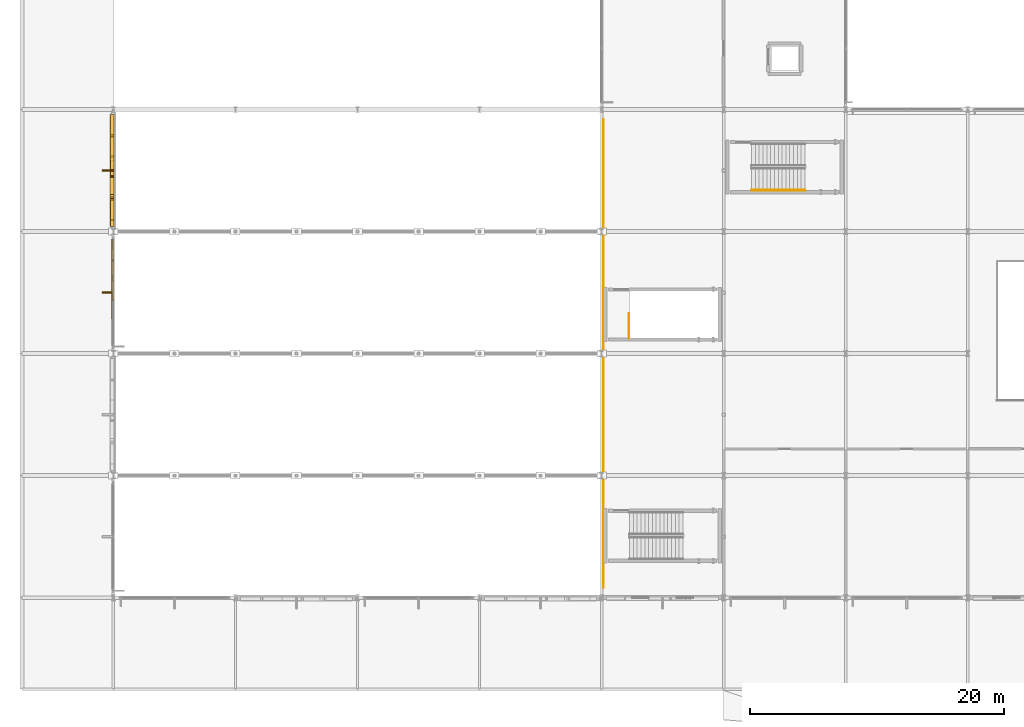
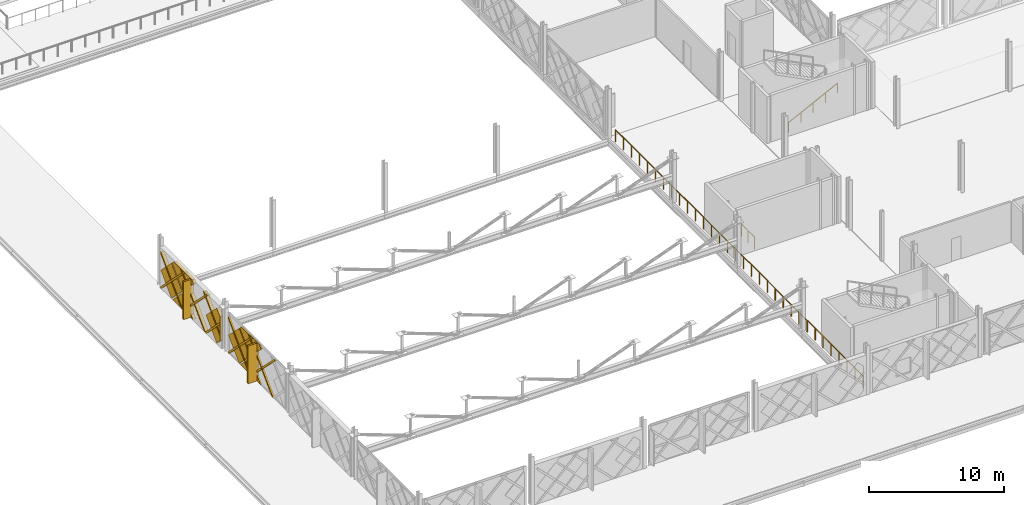
# One storey, part 77 of 101: 19 coverings, 3 railings.
"""IFC4 building model written with IfcOpenShell, lengths in metres."""

from ifc_helpers import new_model, si_unit, direction, frame, origin, origin_2d, place, context, subcontext, project, spatial, polyline, rectangle, circle, outline, extrude, material, layer, layer_set, type_object, element, save


model = new_model("IFC4")

# Units and contexts
model_context = context("Model", 3, precision=1e-05, world=origin(), true_north=direction((0.0, 1.0)))
body_context = subcontext(model_context, "Body", "Model", "MODEL_VIEW")
ifc_project = project(units=[si_unit("LENGTHUNIT", "METRE"), si_unit("AREAUNIT", "SQUARE_METRE"), si_unit("VOLUMEUNIT", "CUBIC_METRE"), si_unit("PLANEANGLEUNIT", "RADIAN"), si_unit("MASSUNIT", "GRAM", prefix="KILO")], contexts=[model_context])

# Site, building, storey
site_placement = place(None, origin())
site = spatial("IfcSite", under=ifc_project, at=site_placement, CompositionType="ELEMENT")
building_placement = place(site_placement, origin())
building = spatial("IfcBuilding", under=site, at=building_placement, Name="Zevrakil Square Congress Hotel", CompositionType="ELEMENT")
storey_placement = place(building_placement, frame((0.0, 0.0, 5.39990234375)))
storey = spatial("IfcBuildingStorey", under=building, at=storey_placement, Name="L02", CompositionType="ELEMENT", Elevation=5.39990234375)

# Coverings
ifc_material_1 = material(Name="Architectural White Fibre-C GRC", Category="concrete")
ifc_layer_1 = layer(ifc_material_1, 0.06494140625)
ifc_layer_set_1 = layer_set([ifc_layer_1], Name="Architectural White Fibre-C GRC")
covering_type_1 = type_object("IfcCoveringType", Name="COV-DIA-WHITE", PredefinedType="CLADDING", material=ifc_layer_set_1)
covering_1_placement = place(storey_placement, frame((7.10595703125, 32.1201171875, 1.590087890625), z_axis=(-0.999999790873, 0.0, 0.000646725815), x_axis=(-0.000457304257, -0.707106707249, -0.707106707249)))
element("IfcCovering", 1, at=covering_1_placement, inside=storey, type_object=covering_type_1, Name="L02 45-degree white GRC diamond facade cassette 355", PredefinedType="CLADDING", context=body_context, shape_type="SweptSolid", body=[
    extrude(outline(polyline([(0.0, 0.0), (2.1354765131557993, 0.0), (0.00017308005963778683, -2.1353038796462007), (0.0, 0.0)])), origin(), (0.0, 0.0, -1.0), 0.1201171875),
])
covering_2_placement = place(storey_placement, frame((7.10693359375, 33.800048828125, 3.27001953125), z_axis=(-0.999999812555, 0.0, 0.000612282237), x_axis=(-0.000432915721, -0.707161000838, -0.707052424844)))
element("IfcCovering", 2, at=covering_2_placement, inside=storey, type_object=covering_type_1, Name="L02 45-degree white GRC diamond facade cassette 356", PredefinedType="CLADDING", context=body_context, shape_type="SweptSolid", body=[
    extrude(outline(polyline([(0.0, 0.0), (2.2485514454845923, 0.0), (2.248379222880032, -2.2487240657380214), (0.013983748838055643, -2.248379882955194), (-0.0001711092764935529, -2.234222853853795), (0.0, 0.0)])), origin(), (0.0, 0.0, -1.0), 0.1201171875),
])
covering_3_placement = place(storey_placement, frame((7.10693359375, 30.530029296875, 3.360107421875), z_axis=(-0.99999982898, 0.0, 0.000584841474), x_axis=(-0.000413545392, 0.707106746408, -0.707106695036)))
element("IfcCovering", 3, at=covering_3_placement, inside=storey, type_object=covering_type_1, Name="L02 45-degree white GRC diamond facade cassette 358", PredefinedType="CLADDING", context=body_context, shape_type="SweptSolid", body=[
    extrude(outline(polyline([(0.0, 0.0), (2.2487239708886406, -4.440892098500626e-16), (2.248551116202558, -2.2485513373886388), (1.9162315725235057, -2.2487240270671522), (-0.00017272236820967124, -0.3323195436620633), (0.0, 0.0)])), origin(), (0.0, 0.0, -1.0), 0.1201171875),
])
covering_4_placement = place(storey_placement, frame((6.970947265625, 41.93994140625, 1.590087890625), z_axis=(-0.999999790873, 0.0, 0.000646725815), x_axis=(-0.000457304257, -0.707106707249, -0.707106707249)))
element("IfcCovering", 4, at=covering_4_placement, inside=storey, type_object=covering_type_1, Name="L02 45-degree white GRC diamond facade cassette 374", PredefinedType="CLADDING", context=body_context, shape_type="SweptSolid", body=[
    extrude(outline(polyline([(0.0, 0.0), (2.1354765131557993, 0.0), (4.465861884739297e-07, -2.1354765131557527), (0.0, 0.0)])), origin(), (0.0, 0.0, -1.0), 0.27001953125),
])
covering_5_placement = place(storey_placement, frame((6.971923828125, 43.6201171875, 3.27001953125), z_axis=(-0.999999856488, -2.41678e-07, 0.000535746981), x_axis=(-0.000378630367, -0.70716100192, -0.707052454916)))
element("IfcCovering", 5, at=covering_5_placement, inside=storey, type_object=covering_type_1, Name="L02 45-degree white GRC diamond facade cassette 375", PredefinedType="CLADDING", context=body_context, shape_type="SweptSolid", body=[
    extrude(outline(polyline([(0.0, 0.0), (2.2485514420015917, 0.0), (2.2483791200415766, -2.248723969767764), (0.013983742226420182, -2.248379879845779), (-0.00017111649015499886, -2.2342228501026002), (0.0, 0.0)])), origin(), (0.0, 0.0, -1.0), 0.27001953125),
])
covering_6_placement = place(storey_placement, frame((6.97021484375, 36.89990234375, 0.090087890625), z_axis=(-0.999999852613, -5.020277e-05, 0.000540604317), x_axis=(0.000346766286, 0.707106744894, 0.707106732451)))
element("IfcCovering", 6, at=covering_6_placement, inside=storey, type_object=covering_type_1, Name="L02 45-degree white GRC diamond facade cassette 376", PredefinedType="CLADDING", context=body_context, shape_type="SweptSolid", body=[
    extrude(outline(polyline([(0.0, 0.0), (2.2487239790653226, 0.0), (2.248551664439469, -2.248551438575526), (1.5414448411068693, -2.2485514327970137), (7.843832011689145e-08, -0.7071068214751914), (0.0, 0.0)])), origin(), (0.0, 0.0, -1.0), 0.27001953125),
])
covering_7_placement = place(storey_placement, frame((6.971923828125, 40.35009765625, 3.360107421875), z_axis=(-0.999999828983, 0.0, 0.000584837432), x_axis=(-0.000413574283, 0.707052455893, -0.70716098137)))
element("IfcCovering", 7, at=covering_7_placement, inside=storey, type_object=covering_type_1, Name="L02 45-degree white GRC diamond facade cassette 377", PredefinedType="CLADDING", context=body_context, shape_type="SweptSolid", body=[
    extrude(outline(polyline([(0.0, 0.0), (2.248551344033201, -4.440892098500626e-16), (2.2483784760755072, -2.248723964244697), (1.915886299889369, -2.2486984931924137), (-0.000198236343884578, -0.3323195294215008), (0.0, 0.0)])), origin(), (0.0, 0.0, -1.0), 0.27001953125),
])
ifc_material_2 = material(Name="Anodised Champagne Aluminium", Category="aluminium")
ifc_layer_2 = layer(ifc_material_2, 0.0849609375)
ifc_layer_set_2 = layer_set([ifc_layer_2], Name="Anodised Champagne Aluminium")
covering_type_2 = type_object("IfcCoveringType", Name="COV-DIAGRID-45", PredefinedType="MOLDING", material=ifc_layer_set_2)
covering_8_placement = place(storey_placement, frame((7.080078125, 35.2939453125, 0.080078125), z_axis=(-0.999999883789, -0.000187845785, 0.000443999129), x_axis=(-0.000187845767, 0.999999982357, 8.3403e-08)))
element("IfcCovering", 8, at=covering_8_placement, inside=storey, type_object=covering_type_2, Name="L02 45-degree aluminium diagrid rib 359", PredefinedType="MOLDING", context=body_context, shape_type="SweptSolid", body=[
    extrude(outline(polyline([(0.0, 0.0), (0.085937498483803, 1.137373342260413e-24), (0.08593750901103456, -0.1262206906837255), (-3.302734436302602, -3.515137347855374), (-3.5151367763051833, -3.515137347855374), (0.0, 0.0)])), origin(), (0.0, 0.0, -1.0), 0.14501953125),
])
covering_9_placement = place(storey_placement, frame((7.080078125, 31.933837890625, 0.080078125), z_axis=(-0.999999804633, 0.0, 0.000625086695), x_axis=(0.0, 1.0, 0.0)))
element("IfcCovering", 9, at=covering_9_placement, inside=storey, type_object=covering_type_2, Name="L02 45-degree aluminium diagrid rib 360", PredefinedType="MOLDING", context=body_context, shape_type="SweptSolid", body=[
    extrude(outline(polyline([(0.0, 0.0), (0.212158203125, 0.0), (-3.302734375, -3.5151374054908215), (-3.514892578125, -3.5151374054908215), (0.0, 0.0)])), origin(), (0.0, 0.0, -1.0), 0.14501953125),
])
covering_10_placement = place(storey_placement, frame((7.081787109375, 35.3798828125, 3.154052734375), z_axis=(-0.999999586067, -0.000287488092, 0.000863259418), x_axis=(0.000863259477, -8.2649e-08, 0.999999627391)))
element("IfcCovering", 10, at=covering_10_placement, inside=storey, type_object=covering_type_2, Name="L02 45-degree aluminium diagrid rib 362", PredefinedType="MOLDING", context=body_context, shape_type="SweptSolid", body=[
    extrude(outline(polyline([(0.0, 0.0), (0.212158334829751, 1.3234889800848443e-23), (-3.0739746677062127, -3.2858890617254115), (-3.073974685240951, -3.0737308673677872), (0.0, 0.0)])), origin(), (0.0, 0.0, -1.0), 0.14501953125),
])
covering_11_placement = place(storey_placement, frame((7.082275390625, 32.461181640625, 3.59521484375), z_axis=(-0.999999804633, 0.0, 0.000625086695), x_axis=(0.0, -1.0, 0.0)))
element("IfcCovering", 11, at=covering_11_placement, inside=storey, type_object=covering_type_2, Name="L02 45-degree aluminium diagrid rib 363", PredefinedType="MOLDING", context=body_context, shape_type="SweptSolid", body=[
    extrude(outline(polyline([(0.0, 0.0), (0.21240234375, 0.0), (3.727294921875, -3.515137405490821), (3.51513671875, -3.515137405490821), (0.0, 0.0)])), origin(), (0.0, 0.0, -1.0), 0.14501953125),
])
covering_12_placement = place(storey_placement, frame((6.945068359375, 45.114013671875, 0.080078125), z_axis=(-0.99999988382, -0.000187951111, 0.000443884538), x_axis=(-0.000187951092, 0.999999982337, 8.3429e-08)))
element("IfcCovering", 12, at=covering_12_placement, inside=storey, type_object=covering_type_2, Name="L02 45-degree aluminium diagrid rib 378", PredefinedType="MOLDING", context=body_context, shape_type="SweptSolid", body=[
    extrude(outline(polyline([(0.0, 0.0), (0.08593749848210225, 1.137373342260413e-24), (0.085937509012518, -0.12622069069014652), (-3.302978577000679, -3.515137347782409), (-3.515136776378369, -3.515137347782409), (0.0, 0.0)])), origin(), (0.0, 0.0, -1.0), 0.294921875),
])
covering_13_placement = place(storey_placement, frame((6.945068359375, 41.75390625, 0.080078125), z_axis=(-0.999999804633, 0.0, 0.000625086695), x_axis=(0.0, 1.0, 0.0)))
element("IfcCovering", 13, at=covering_13_placement, inside=storey, type_object=covering_type_2, Name="L02 45-degree aluminium diagrid rib 379", PredefinedType="MOLDING", context=body_context, shape_type="SweptSolid", body=[
    extrude(outline(polyline([(0.0, 0.0), (0.212158203125, 0.0), (-3.302734375, -3.5151374054908215), (-3.514892578125, -3.5151374054908215), (0.0, 0.0)])), origin(), (0.0, 0.0, -1.0), 0.294921875),
])
covering_14_placement = place(storey_placement, frame((6.945068359375, 38.393798828125, 0.080078125), z_axis=(-0.999999915529, -0.000290471383, 0.000290805643), x_axis=(-0.000290471371, 0.999999957813, 8.4471e-08)))
element("IfcCovering", 14, at=covering_14_placement, inside=storey, type_object=covering_type_2, Name="L02 45-degree aluminium diagrid rib 380", PredefinedType="MOLDING", context=body_context, shape_type="SweptSolid", body=[
    extrude(outline(polyline([(0.0, 0.0), (0.212402334789422, -2.81112161297318e-24), (-1.993896568491142, -2.206054949206632), (-1.9938965864122986, -1.9938967550525222), (0.0, 0.0)])), origin(), (0.0, 0.0, -1.0), 0.294921875),
])
covering_15_placement = place(storey_placement, frame((6.947021484375, 45.199951171875, 3.154052734375), z_axis=(-0.999999905692, 0.000306919207, 0.000307272394), x_axis=(0.00030727238, -9.4308e-08, 0.999999952792)))
element("IfcCovering", 15, at=covering_15_placement, inside=storey, type_object=covering_type_2, Name="L02 45-degree aluminium diagrid rib 381", PredefinedType="MOLDING", context=body_context, shape_type="SweptSolid", body=[
    extrude(outline(polyline([(0.0, 0.0), (0.21215819310940093, 2.8078904387053947e-24), (-3.0739747544917018, -3.286133257175718), (-3.0739747745229002, -3.073730923429806), (0.0, 0.0)])), origin(), (0.0, 0.0, -1.0), 0.294921875),
])
covering_16_placement = place(storey_placement, frame((6.947265625, 42.281005859375, 3.59521484375), z_axis=(-0.999999804633, 0.0, 0.000625086695), x_axis=(0.0, -1.0, 0.0)))
element("IfcCovering", 16, at=covering_16_placement, inside=storey, type_object=covering_type_2, Name="L02 45-degree aluminium diagrid rib 382", PredefinedType="MOLDING", context=body_context, shape_type="SweptSolid", body=[
    extrude(outline(polyline([(0.0, 0.0), (0.212158203125, 0.0), (3.72705078125, -3.5151374054908215), (3.514892578125, -3.5151374054908215), (0.0, 0.0)])), origin(), (0.0, 0.0, -1.0), 0.294921875),
])
covering_17_placement = place(storey_placement, frame((6.947265625, 38.921142578125, 3.59521484375), z_axis=(-0.999999561012, -0.000246842169, 0.000903905312), x_axis=(0.000246842068, -0.999999969534, -2.23122e-07)))
element("IfcCovering", 17, at=covering_17_placement, inside=storey, type_object=covering_type_2, Name="L02 45-degree aluminium diagrid rib 383", PredefinedType="MOLDING", context=body_context, shape_type="SweptSolid", body=[
    extrude(outline(polyline([(0.0, 0.0), (0.21215819666148822, -5.6157808774107894e-24), (2.521240311185919, -2.3090824120180886), (2.521240298258895, -2.5212407491517004), (0.0, 0.0)])), origin(), (0.0, 0.0, -1.0), 0.294921875),
])
ifc_material_3 = material(Name="Architectural White Fibre-C GRC", Category="concrete")
ifc_layer_3 = layer(ifc_material_3, 0.139892578125)
ifc_layer_set_3 = layer_set([ifc_layer_3], Name="Architectural White Fibre-C GRC")
covering_type_3 = type_object("IfcCoveringType", Name="COV-FIN-GRC90", PredefinedType="MOLDING", material=ifc_layer_set_3)
for number, where, z_axis, x_axis, name in (
    (18, (6.780029296875, 31.199951171875, 0.1201171875), (0.0, 0.0, 1.0), (-1.0, 0.0, 0.0), "L02 highland sun-breaker GRC fin 365"),
    (19, (6.780029296875, 40.800048828125, 0.1201171875), (0.0, 0.0, 1.0), (-1.0, 0.0, 0.0), "L02 highland sun-breaker GRC fin 384"),
):
    element("IfcCovering", number, at=place(storey_placement, frame(where, z_axis=z_axis, x_axis=x_axis)), inside=storey, type_object=covering_type_3, Name=name, PredefinedType="MOLDING", context=body_context, shape_type="SweptSolid", body=[
        extrude(rectangle(XDim=0.89990234375, YDim=0.139892578125, at=origin_2d()), origin(), (0.0, 0.0, 1.0), 3.43505859375),
    ])

# Railings
ifc_material_4 = material(Name="Steel S355", Category="steel")
railing_type_1 = type_object("IfcRailingType", Name="RLG-STAIR-GUARD-1100", PredefinedType="BALUSTRADE", material=ifc_material_4)
railing_1_placement = place(storey_placement, frame((47.75, 27.60009765625, 0.0)))
element("IfcRailing", 20, at=railing_1_placement, inside=storey, type_object=railing_type_1, Name="L02 ST13 top well guard 1", PredefinedType="BALUSTRADE", context=body_context, shape_type="SweptSolid", body=[
    extrude(circle(Radius=0.02392578125, at=origin_2d()), frame((0.0, 0.0, 1.076171875), z_axis=(0.0, 1.0, 0.0), x_axis=(-1.0, 0.0, 0.0)), (0.0, 0.0, 1.0), 1.949951171875),
    extrude(circle(Radius=0.02099609375, at=origin_2d()), origin(), (0.0, 0.0, 1.0), 1.052001953125),
    extrude(circle(Radius=0.02099609375, at=origin_2d()), frame((0.0, 0.97509765625, 0.0)), (0.0, 0.0, 1.0), 1.052001953125),
    extrude(circle(Radius=0.02099609375, at=origin_2d()), frame((0.0, 1.949951171875, 0.0)), (0.0, 0.0, 1.0), 1.052001953125),
])
ifc_material_5 = material(Name="Steel S355", Category="steel")
railing_type_2 = type_object("IfcRailingType", Name="RLG-STAIR-HAND-900", PredefinedType="HANDRAIL", material=ifc_material_5)
railing_2_placement = place(storey_placement, frame((57.39990234375, 39.25, 0.150146484375)))
element("IfcRailing", 21, at=railing_2_placement, inside=storey, type_object=railing_type_2, Name="L02 ST04 stair handrail 1", PredefinedType="HANDRAIL", context=body_context, shape_type="SweptSolid", body=[
    extrude(circle(Radius=0.02392578125, at=origin_2d()), frame((0.0, 0.0, 0.8759765625), z_axis=(0.894447986312, 0.0, 0.447172002457), x_axis=(0.0, 1.0, 0.0)), (0.0, 0.0, 1.0), 4.69580078125),
    extrude(circle(Radius=0.02099609375, at=origin_2d()), origin(), (0.0, 0.0, 1.0), 0.851806640625),
    extrude(circle(Radius=0.02099609375, at=origin_2d()), frame((1.050048828125, 0.0, 0.52490234375)), (0.0, 0.0, 1.0), 0.851806640625),
    extrude(circle(Radius=0.02099609375, at=origin_2d()), frame((2.10009765625, 0.0, 1.0498046875)), (0.0, 0.0, 1.0), 0.851806640625),
    extrude(circle(Radius=0.02099609375, at=origin_2d()), frame((3.150146484375, 0.0, 1.574951171875)), (0.0, 0.0, 1.0), 0.851806640625),
    extrude(circle(Radius=0.02099609375, at=origin_2d()), frame((4.2001953125, 0.0, 2.099853515625)), (0.0, 0.0, 1.0), 0.851806640625),
])
ifc_material_6 = material(Name="Steel S355", Category="steel")
railing_type_3 = type_object("IfcRailingType", Name="RLG-TERR-1100", PredefinedType="BALUSTRADE", material=ifc_material_6)
railing_3_placement = place(storey_placement, frame((45.75, 8.0, 0.0)))
element("IfcRailing", 22, at=railing_3_placement, inside=storey, type_object=railing_type_3, Name="L02 terrace and void safety balustrade guard 40", PredefinedType="BALUSTRADE", context=body_context, shape_type="SweptSolid", body=[
    extrude(circle(Radius=0.02392578125, at=origin_2d()), frame((0.0, 0.0, 1.076171875), z_axis=(0.0, 1.0, 0.0), x_axis=(-1.0, 0.0, 0.0)), (0.0, 0.0, 1.0), 36.800048828125),
    extrude(circle(Radius=0.02099609375, at=origin_2d()), origin(), (0.0, 0.0, 1.0), 1.052001953125),
    extrude(circle(Radius=0.02099609375, at=origin_2d()), frame((0.0, 1.18701171875, 0.0)), (0.0, 0.0, 1.0), 1.052001953125),
    extrude(circle(Radius=0.02099609375, at=origin_2d()), frame((0.0, 2.374267578125, 0.0)), (0.0, 0.0, 1.0), 1.052001953125),
    extrude(circle(Radius=0.02099609375, at=origin_2d()), frame((0.0, 3.561279296875, 0.0)), (0.0, 0.0, 1.0), 1.052001953125),
    extrude(circle(Radius=0.02099609375, at=origin_2d()), frame((0.0, 4.748291015625, 0.0)), (0.0, 0.0, 1.0), 1.052001953125),
    extrude(circle(Radius=0.02099609375, at=origin_2d()), frame((0.0, 5.935546875, 0.0)), (0.0, 0.0, 1.0), 1.052001953125),
    extrude(circle(Radius=0.02099609375, at=origin_2d()), frame((0.0, 7.12255859375, 0.0)), (0.0, 0.0, 1.0), 1.052001953125),
    extrude(circle(Radius=0.02099609375, at=origin_2d()), frame((0.0, 8.3095703125, 0.0)), (0.0, 0.0, 1.0), 1.052001953125),
    extrude(circle(Radius=0.02099609375, at=origin_2d()), frame((0.0, 9.496826171875, 0.0)), (0.0, 0.0, 1.0), 1.052001953125),
    extrude(circle(Radius=0.02099609375, at=origin_2d()), frame((0.0, 10.683837890625, 0.0)), (0.0, 0.0, 1.0), 1.052001953125),
    extrude(circle(Radius=0.02099609375, at=origin_2d()), frame((0.0, 11.87109375, 0.0)), (0.0, 0.0, 1.0), 1.052001953125),
    extrude(circle(Radius=0.02099609375, at=origin_2d()), frame((0.0, 13.05810546875, 0.0)), (0.0, 0.0, 1.0), 1.052001953125),
    extrude(circle(Radius=0.02099609375, at=origin_2d()), frame((0.0, 14.2451171875, 0.0)), (0.0, 0.0, 1.0), 1.052001953125),
    extrude(circle(Radius=0.02099609375, at=origin_2d()), frame((0.0, 15.432373046875, 0.0)), (0.0, 0.0, 1.0), 1.052001953125),
    extrude(circle(Radius=0.02099609375, at=origin_2d()), frame((0.0, 16.619384765625, 0.0)), (0.0, 0.0, 1.0), 1.052001953125),
    extrude(circle(Radius=0.02099609375, at=origin_2d()), frame((0.0, 17.806396484375, 0.0)), (0.0, 0.0, 1.0), 1.052001953125),
    extrude(circle(Radius=0.02099609375, at=origin_2d()), frame((0.0, 18.99365234375, 0.0)), (0.0, 0.0, 1.0), 1.052001953125),
    extrude(circle(Radius=0.02099609375, at=origin_2d()), frame((0.0, 20.1806640625, 0.0)), (0.0, 0.0, 1.0), 1.052001953125),
    extrude(circle(Radius=0.02099609375, at=origin_2d()), frame((0.0, 21.36767578125, 0.0)), (0.0, 0.0, 1.0), 1.052001953125),
    extrude(circle(Radius=0.02099609375, at=origin_2d()), frame((0.0, 22.554931640625, 0.0)), (0.0, 0.0, 1.0), 1.052001953125),
    extrude(circle(Radius=0.02099609375, at=origin_2d()), frame((0.0, 23.741943359375, 0.0)), (0.0, 0.0, 1.0), 1.052001953125),
    extrude(circle(Radius=0.02099609375, at=origin_2d()), frame((0.0, 24.928955078125, 0.0)), (0.0, 0.0, 1.0), 1.052001953125),
    extrude(circle(Radius=0.02099609375, at=origin_2d()), frame((0.0, 26.1162109375, 0.0)), (0.0, 0.0, 1.0), 1.052001953125),
    extrude(circle(Radius=0.02099609375, at=origin_2d()), frame((0.0, 27.30322265625, 0.0)), (0.0, 0.0, 1.0), 1.052001953125),
    extrude(circle(Radius=0.02099609375, at=origin_2d()), frame((0.0, 28.490478515625, 0.0)), (0.0, 0.0, 1.0), 1.052001953125),
    extrude(circle(Radius=0.02099609375, at=origin_2d()), frame((0.0, 29.677490234375, 0.0)), (0.0, 0.0, 1.0), 1.052001953125),
    extrude(circle(Radius=0.02099609375, at=origin_2d()), frame((0.0, 30.864501953125, 0.0)), (0.0, 0.0, 1.0), 1.052001953125),
    extrude(circle(Radius=0.02099609375, at=origin_2d()), frame((0.0, 32.0517578125, 0.0)), (0.0, 0.0, 1.0), 1.052001953125),
    extrude(circle(Radius=0.02099609375, at=origin_2d()), frame((0.0, 33.23876953125, 0.0)), (0.0, 0.0, 1.0), 1.052001953125),
    extrude(circle(Radius=0.02099609375, at=origin_2d()), frame((0.0, 34.42578125, 0.0)), (0.0, 0.0, 1.0), 1.052001953125),
    extrude(circle(Radius=0.02099609375, at=origin_2d()), frame((0.0, 35.613037109375, 0.0)), (0.0, 0.0, 1.0), 1.052001953125),
    extrude(circle(Radius=0.02099609375, at=origin_2d()), frame((0.0, 36.800048828125, 0.0)), (0.0, 0.0, 1.0), 1.052001953125),
])

save(model, "model.ifc")
